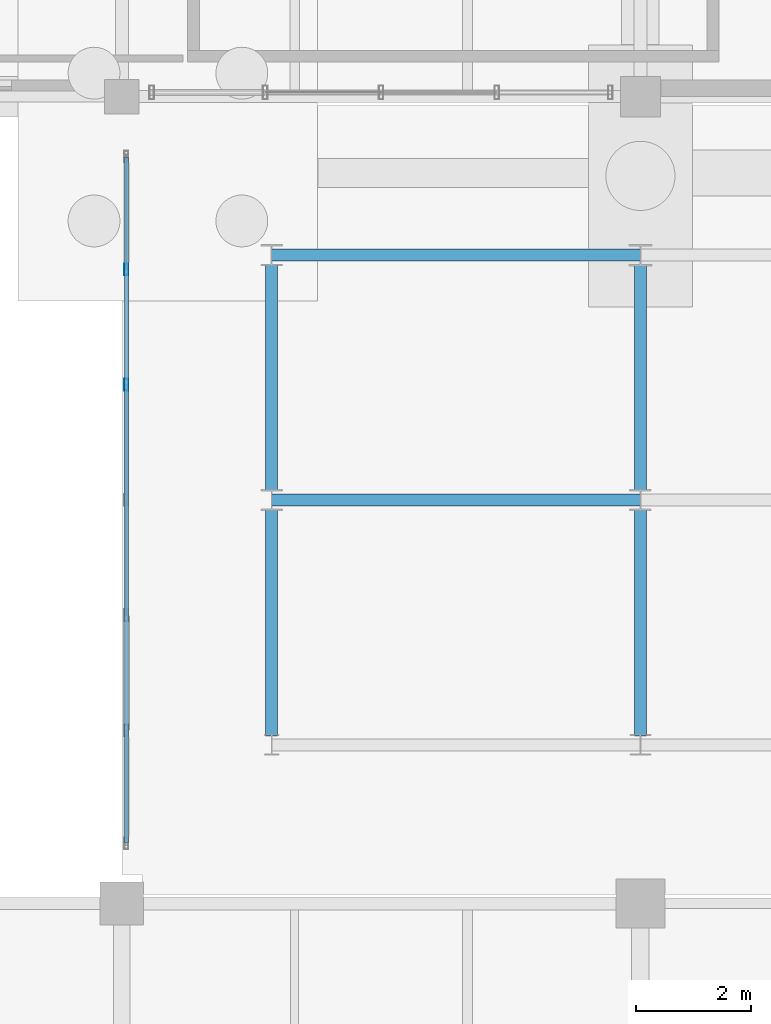
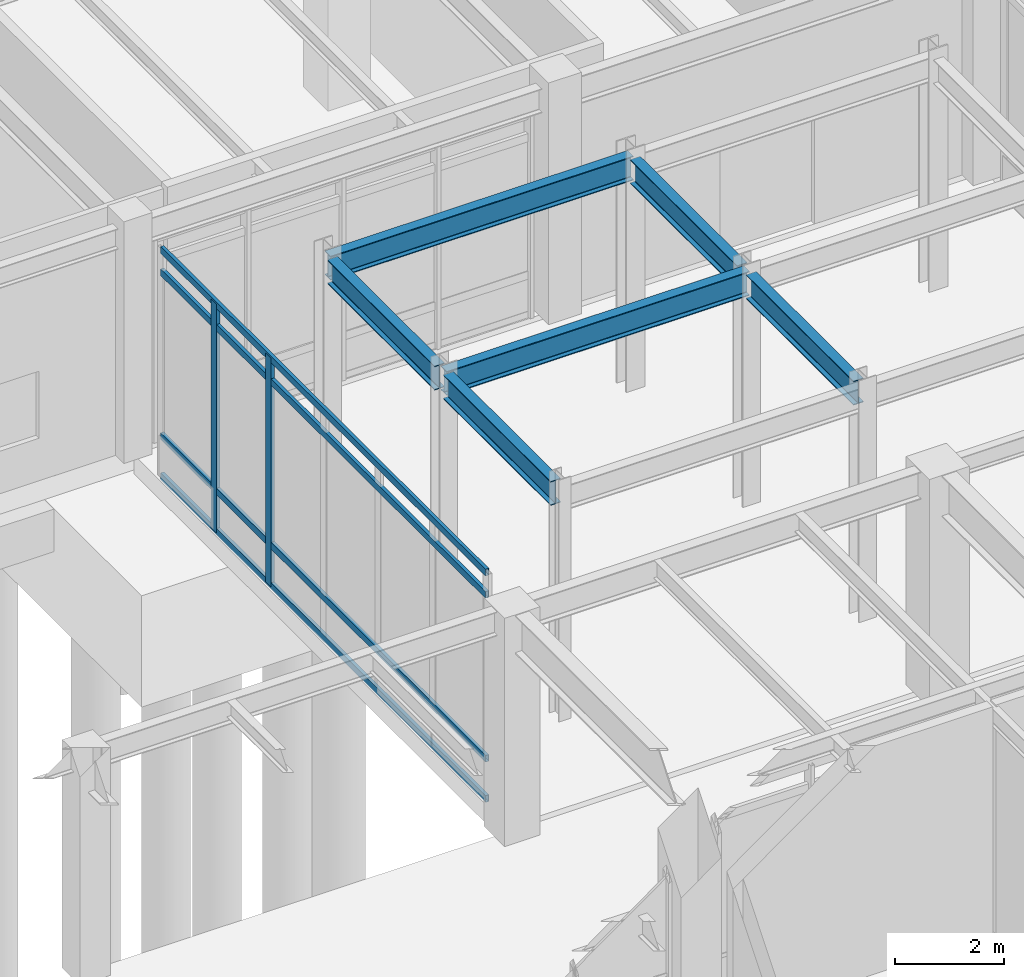
# One storey, part 87 of 203: 6 beams, 6 members, 1 element without a shape of its own.
"""IFC4 building model written with IfcOpenShell, lengths in metres."""

from ifc_helpers import new_model, si_unit, direction, frame, origin, origin_2d, place, context, subcontext, project, spatial, hollow_rectangle, i_section, extrude, material, material_profile, profile_set, type_object, element, aggregate, save


model = new_model("IFC4")

# Units and contexts
model_context = context("Model", 3, precision=1e-05, world=origin(), true_north=direction((0.0, 1.0)))
body_context = subcontext(model_context, "Body", "Model", "MODEL_VIEW")
ifc_project = project(units=[si_unit("LENGTHUNIT", "METRE"), si_unit("AREAUNIT", "SQUARE_METRE"), si_unit("VOLUMEUNIT", "CUBIC_METRE"), si_unit("PLANEANGLEUNIT", "RADIAN"), si_unit("MASSUNIT", "GRAM", prefix="KILO"), si_unit("THERMODYNAMICTEMPERATUREUNIT", "KELVIN"), si_unit("POWERUNIT", "WATT")], contexts=[model_context])

# Site, building, storey
site_placement = place(None, origin())
site = spatial("IfcSite", under=ifc_project, at=site_placement, CompositionType="ELEMENT")
building_placement = place(site_placement, origin())
building = spatial("IfcBuilding", under=site, at=building_placement, Name="Tepalcoro Natatorium and Aquatics Centre", CompositionType="ELEMENT")
storey_placement = place(building_placement, origin())
storey = spatial("IfcBuildingStorey", under=building, at=storey_placement, Name="L00", CompositionType="ELEMENT", Elevation=0.0)

# Beams
ifc_material_1 = material(Name="Steel ASTM A992 Grade 50 (Fy 345 MPa)", Category="steel")
ifc_material_profile_1 = material_profile(ifc_material_1, i_section(OverallWidth=0.2109375, OverallDepth=0.5380859375, WebThickness=0.011962890625, FlangeThickness=0.01904296875, FilletRadius=0.013916015625, at=origin_2d()), Name="W21X73")
ifc_profile_set_1 = profile_set([ifc_material_profile_1], Name="Steel ASTM A992 Grade 50 (Fy 345 MPa)")
beam_type = type_object("IfcBeamType", Name="BM_LINK_LB1", PredefinedType="BEAM", material=ifc_profile_set_1)
for number, where, z_axis, x_axis, name in (
    (1, (109.60009765625, 79.0, 4.89599609375), (1.0, 0.0, 0.0), (0.0, 1.0, 0.0), "Seismic passage link beam LB1 (V6NE L00)"),
    (2, (109.60009765625, 83.25, 4.89599609375), (1.0, 0.0, 0.0), (0.0, 1.0, 0.0), "Seismic passage link beam LB1 (V6NE L00)"),
):
    element("IfcBeam", number, at=place(storey_placement, frame(where, z_axis=z_axis, x_axis=x_axis)), inside=storey, type_object=beam_type, Name=name, PredefinedType="BEAM", context=body_context, shape_type="SweptSolid", body=[
        extrude(i_section(OverallWidth=0.2109375, OverallDepth=0.5380859375, WebThickness=0.011962890625, FlangeThickness=0.01904296875, FilletRadius=0.013916015625, at=origin_2d()), origin(), (0.0, 0.0, 1.0), 6.39990234375),
    ])
beam_1_placement = place(storey_placement, frame((109.60009765625, 74.906982421875, 4.89599609375), z_axis=(0.0, 1.0, 0.0), x_axis=(-1.0, 0.0, 0.0)))
element("IfcBeam", 3, at=beam_1_placement, inside=storey, type_object=beam_type, Name="Seismic passage link beam LB1 (V6NE L00)", PredefinedType="BEAM", context=body_context, shape_type="SweptSolid", body=[
    extrude(i_section(OverallWidth=0.2109375, OverallDepth=0.5380859375, WebThickness=0.011962890625, FlangeThickness=0.01904296875, FilletRadius=0.013916015625, at=origin_2d()), origin(), (0.0, 0.0, 1.0), 3.93603515625),
])
for number, where, z_axis, x_axis, name in (
    (4, (109.60009765625, 79.156982421875, 4.89599609375), (0.0, 1.0, 0.0), (-1.0, 0.0, 0.0), "Seismic passage link beam LB1 (V6NE L00)"),
    (5, (116.0, 74.906982421875, 4.89599609375), (0.0, 1.0, 0.0), (-1.0, 0.0, 0.0), "Seismic passage link beam LB1 (V6NE L00)"),
):
    element("IfcBeam", number, at=place(storey_placement, frame(where, z_axis=z_axis, x_axis=x_axis)), inside=storey, type_object=beam_type, Name=name, PredefinedType="BEAM", context=body_context, shape_type="SweptSolid", body=[
        extrude(i_section(OverallWidth=0.2109375, OverallDepth=0.5380859375, WebThickness=0.011962890625, FlangeThickness=0.01904296875, FilletRadius=0.013916015625, at=origin_2d()), origin(), (0.0, 0.0, 1.0), 3.929931640625),
    ])
beam_2_placement = place(storey_placement, frame((116.0, 79.1630859375, 4.89599609375), z_axis=(0.0, 1.0, 0.0), x_axis=(-1.0, 0.0, 0.0)))
element("IfcBeam", 6, at=beam_2_placement, inside=storey, type_object=beam_type, Name="Seismic passage link beam LB1 (V6NE L00)", PredefinedType="BEAM", context=body_context, shape_type="SweptSolid", body=[
    extrude(i_section(OverallWidth=0.2109375, OverallDepth=0.5380859375, WebThickness=0.011962890625, FlangeThickness=0.01904296875, FilletRadius=0.013916015625, at=origin_2d()), origin(), (0.0, 0.0, 1.0), 3.919921875),
])

# Curtain wall, members
ifc_material_2 = material(Name="Bronze-Anodised Extruded Aluminium Alloy EN AW-6063 T6", Category="aluminium")
curtain_wall_type = type_object("IfcCurtainWallType", Name="CW_LINK_150", PredefinedType="USERDEFINED", material=ifc_material_2)
curtain_wall_placement = place(storey_placement, origin())
curtain_wall = element("IfcCurtainWall", 7, at=curtain_wall_placement, inside=storey, type_object=curtain_wall_type, Name="East Court Wellness Arcade Glazed Wall W L00", ObjectType="UNITISED STOREFRONT", PredefinedType="USERDEFINED")
ifc_material_profile_2 = material_profile(ifc_material_2, hollow_rectangle(XDim=0.070068359375, YDim=0.199951171875, WallThickness=0.0048828125, at=origin_2d()), Name="AL70X200X5")
ifc_profile_set_2 = profile_set([ifc_material_profile_2], Name="Bronze-Anodised Extruded Aluminium Alloy EN AW-6063 T6")
member_type_1 = type_object("IfcMemberType", Name="CW_MUL_70x200", PredefinedType="MULLION", material=ifc_profile_set_2)
member_1_placement = place(storey_placement, frame((107.080078125, 81.0, 0.02001953125), z_axis=(0.0, 0.0, 1.0), x_axis=(1.0, 0.0, 0.0)))
member_1 = element("IfcMember", 8, at=member_1_placement, type_object=member_type_1, Name="CW_LINK_150 Curtain Wall Mullion", PredefinedType="MULLION", context=body_context, shape_type="SweptSolid", body=[
    extrude(hollow_rectangle(XDim=0.070068359375, YDim=0.199951171875, WallThickness=0.0048828125, at=origin_2d()), origin(), (0.0, 0.0, 1.0), 5.119873046875),
])
member_2_placement = place(storey_placement, frame((107.080078125, 83.0, 0.02001953125), z_axis=(0.0, 0.0, 1.0), x_axis=(1.0, 0.0, 0.0)))
member_2 = element("IfcMember", 9, at=member_2_placement, type_object=member_type_1, Name="CW_LINK_150 Curtain Wall Mullion", PredefinedType="MULLION", context=body_context, shape_type="SweptSolid", body=[
    extrude(hollow_rectangle(XDim=0.070068359375, YDim=0.199951171875, WallThickness=0.0048828125, at=origin_2d()), origin(), (0.0, 0.0, 1.0), 5.119873046875),
])
ifc_material_profile_3 = material_profile(ifc_material_2, hollow_rectangle(XDim=0.070068359375, YDim=0.14990234375, WallThickness=0.00390625, at=origin_2d()), Name="AL70X150X4")
ifc_profile_set_3 = profile_set([ifc_material_profile_3], Name="Bronze-Anodised Extruded Aluminium Alloy EN AW-6063 T6")
member_type_2 = type_object("IfcMemberType", Name="CW_TRN_70x150", PredefinedType="USERDEFINED", material=ifc_profile_set_3)
member_3_placement = place(storey_placement, frame((107.080078125, 73.050048828125, 0.050048828125), z_axis=(0.0, 1.0, 0.0), x_axis=(-1.0, 0.0, 0.0)))
member_3 = element("IfcMember", 10, at=member_3_placement, type_object=member_type_2, Name="CW_LINK_150 Curtain Wall Transom", ObjectType="TRANSOM", PredefinedType="USERDEFINED", context=body_context, shape_type="SweptSolid", body=[
    extrude(hollow_rectangle(XDim=0.070068359375, YDim=0.14990234375, WallThickness=0.00390625, at=origin_2d()), origin(), (0.0, 0.0, 1.0), 11.89990234375),
])
member_4_placement = place(storey_placement, frame((107.080078125, 73.050048828125, 0.949951171875), z_axis=(0.0, 1.0, 0.0), x_axis=(-1.0, 0.0, 0.0)))
member_4 = element("IfcMember", 11, at=member_4_placement, type_object=member_type_2, Name="CW_LINK_150 Curtain Wall Transom", ObjectType="TRANSOM", PredefinedType="USERDEFINED", context=body_context, shape_type="SweptSolid", body=[
    extrude(hollow_rectangle(XDim=0.070068359375, YDim=0.14990234375, WallThickness=0.00390625, at=origin_2d()), origin(), (0.0, 0.0, 1.0), 11.89990234375),
])
member_5_placement = place(storey_placement, frame((107.080078125, 73.050048828125, 4.610107421875), z_axis=(0.0, 1.0, 0.0), x_axis=(-1.0, 0.0, 0.0)))
member_5 = element("IfcMember", 12, at=member_5_placement, type_object=member_type_2, Name="CW_LINK_150 Curtain Wall Transom", ObjectType="TRANSOM", PredefinedType="USERDEFINED", context=body_context, shape_type="SweptSolid", body=[
    extrude(hollow_rectangle(XDim=0.070068359375, YDim=0.14990234375, WallThickness=0.00390625, at=origin_2d()), origin(), (0.0, 0.0, 1.0), 11.89990234375),
])
member_6_placement = place(storey_placement, frame((107.080078125, 73.050048828125, 5.110107421875), z_axis=(0.0, 1.0, 0.0), x_axis=(-1.0, 0.0, 0.0)))
member_6 = element("IfcMember", 13, at=member_6_placement, type_object=member_type_2, Name="CW_LINK_150 Curtain Wall Transom", ObjectType="TRANSOM", PredefinedType="USERDEFINED", context=body_context, shape_type="SweptSolid", body=[
    extrude(hollow_rectangle(XDim=0.070068359375, YDim=0.14990234375, WallThickness=0.00390625, at=origin_2d()), origin(), (0.0, 0.0, 1.0), 11.89990234375),
])
aggregate(curtain_wall, [member_1, member_2, member_3, member_4, member_5, member_6])

save(model, "model.ifc")
